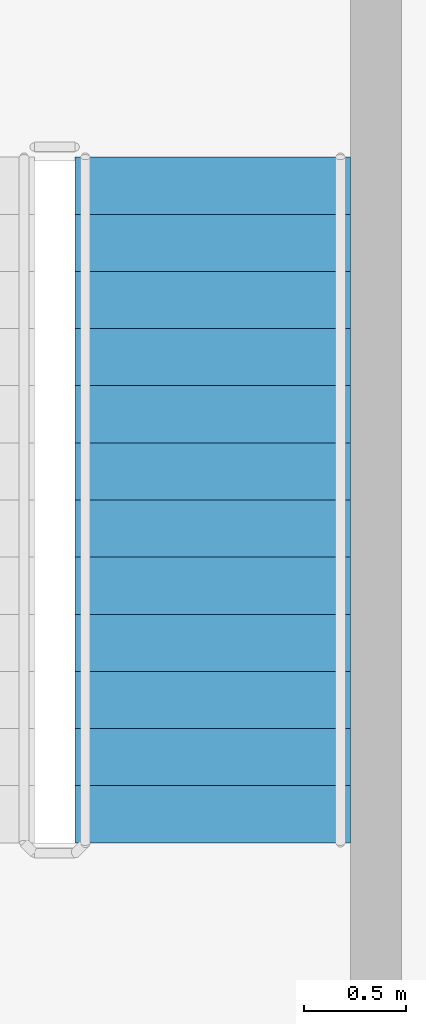
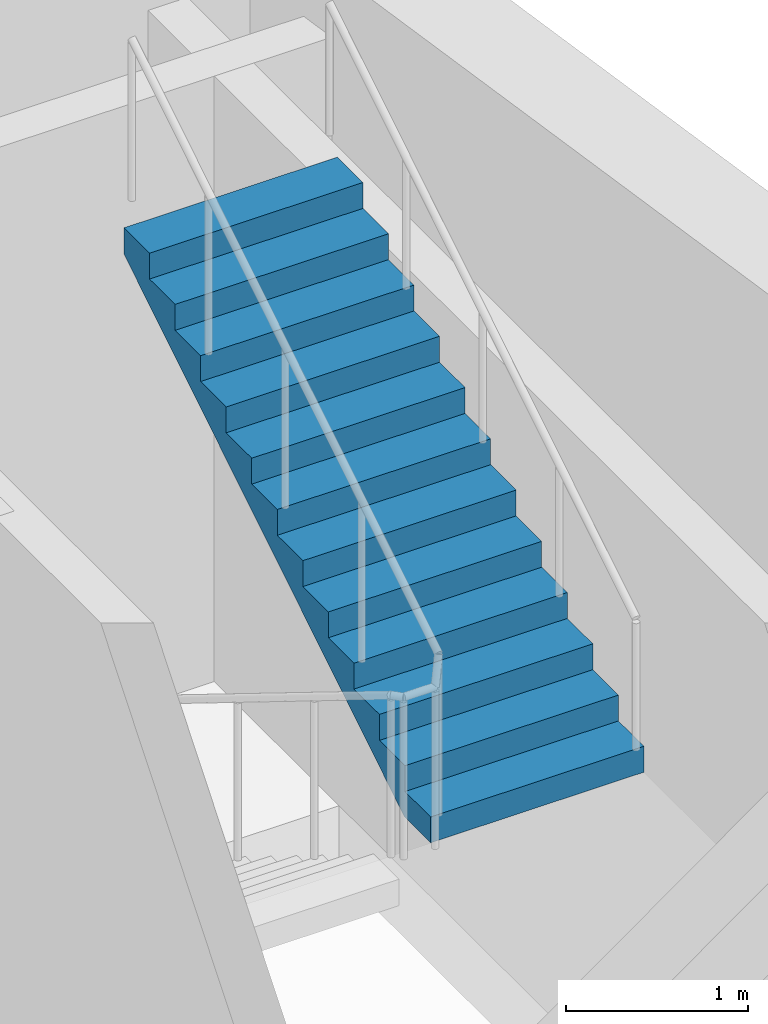
# One storey, part 5 of 9: 1 stair flight, 1 element without a shape of its own.
"""IFC4 building model written with IfcOpenShell, lengths in metres."""

from ifc_helpers import new_model, si_unit, direction, frame, origin, place, context, subcontext, project, spatial, polyline, outline, extrude, material, type_object, element, aggregate, save


model = new_model("IFC4")

# Units and contexts
model_context = context("Model", 3, precision=1e-05, world=origin(), true_north=direction((0.0, 1.0)))
body_context = subcontext(model_context, "Body", "Model", "MODEL_VIEW")
ifc_project = project(units=[si_unit("LENGTHUNIT", "METRE"), si_unit("AREAUNIT", "SQUARE_METRE"), si_unit("VOLUMEUNIT", "CUBIC_METRE"), si_unit("PLANEANGLEUNIT", "RADIAN"), si_unit("MASSUNIT", "GRAM", prefix="KILO")], contexts=[model_context])

# Site, building, storey
site_placement = place(None, origin())
site = spatial("IfcSite", under=ifc_project, at=site_placement, CompositionType="ELEMENT")
building_placement = place(site_placement, origin())
building = spatial("IfcBuilding", under=site, at=building_placement, Name="Candeia Pilgrim Tower and Theatre", CompositionType="ELEMENT")
storey_placement = place(building_placement, frame((0.0, 0.0, 303.39990234375)))
storey = spatial("IfcBuildingStorey", under=building, at=storey_placement, Name="L74", CompositionType="ELEMENT", Elevation=303.39990234375)

# Stair, stair flight
ifc_material = material(Name="Concrete C40/50", Category="concrete")
stair_type = type_object("IfcStairType", Name="ST-TWR dog-leg escape stair", PredefinedType="HALF_TURN_STAIR", material=ifc_material)
stair_placement = place(storey_placement, origin())
stair = element("IfcStair", 1, at=stair_placement, inside=storey, type_object=stair_type, Name="L74 Escape stair ST4", PredefinedType="HALF_TURN_STAIR")
stair_flight_type = type_object("IfcStairFlightType", Name="SFL-RC stair flight", PredefinedType="STRAIGHT", material=ifc_material)
stair_flight_placement = place(storey_placement, frame((136.322998046875, 126.364990234375, 2.25), z_axis=(0.0, 0.0, 1.0), x_axis=(0.0, 1.0, 0.0)))
stair_flight = element("IfcStairFlight", 2, at=stair_flight_placement, type_object=stair_flight_type, Name="ST4 flight 2", NumberOfRisers=13, NumberOfTreads=12, PredefinedType="STRAIGHT", RiserHeight=0.173076923, TreadLength=0.28, context=body_context, shape_type="SweptSolid", body=[
    extrude(outline(polyline([(0.0, 0.0), (0.0, 0.173095703125), (0.280029296875, 0.173095703125), (0.280029296875, 0.34619140625), (0.56005859375, 0.34619140625), (0.56005859375, 0.519287109375), (0.840087890625, 0.519287109375), (0.840087890625, 0.6923828125), (1.1201171875, 0.6923828125), (1.1201171875, 0.865478515625), (1.39990234375, 0.865478515625), (1.39990234375, 1.03857421875), (1.679931640625, 1.03857421875), (1.679931640625, 1.21142578125), (1.9599609375, 1.21142578125), (1.9599609375, 1.384521484375), (2.239990234375, 1.384521484375), (2.239990234375, 1.5576171875), (2.52001953125, 1.5576171875), (2.52001953125, 1.730712890625), (2.800048828125, 1.730712890625), (2.800048828125, 1.90380859375), (3.080078125, 1.90380859375), (3.080078125, 2.076904296875), (3.360107421875, 2.076904296875), (3.360107421875, 2.25), (3.360107421875, 1.900634765625), (0.28515625, 0.0), (0.0, 0.0)])), frame((0.0, 0.675048828125, 0.0), z_axis=(0.0, -1.0, 0.0), x_axis=(1.0, 0.0, 0.0)), (0.0, 0.0, 1.0), 1.35009765625),
])
aggregate(stair, [stair_flight])

save(model, "model.ifc")
